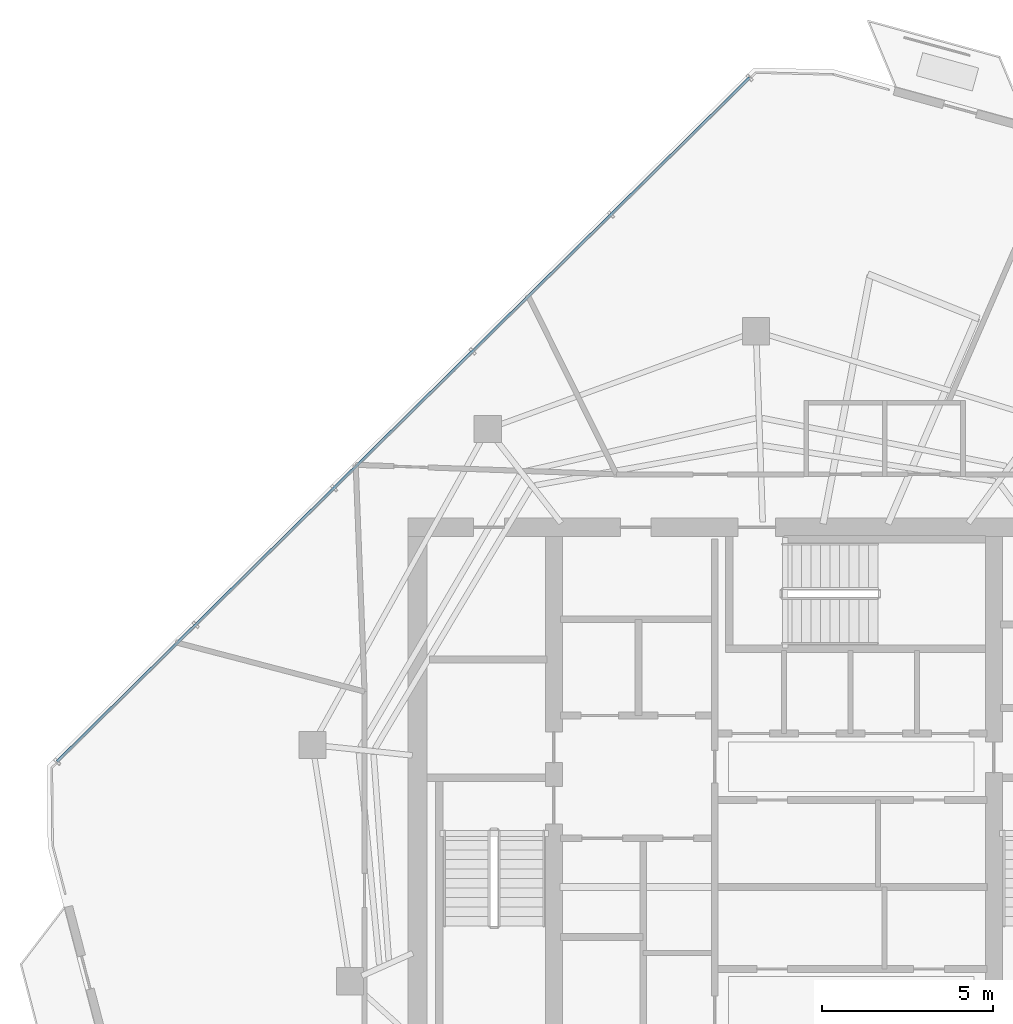
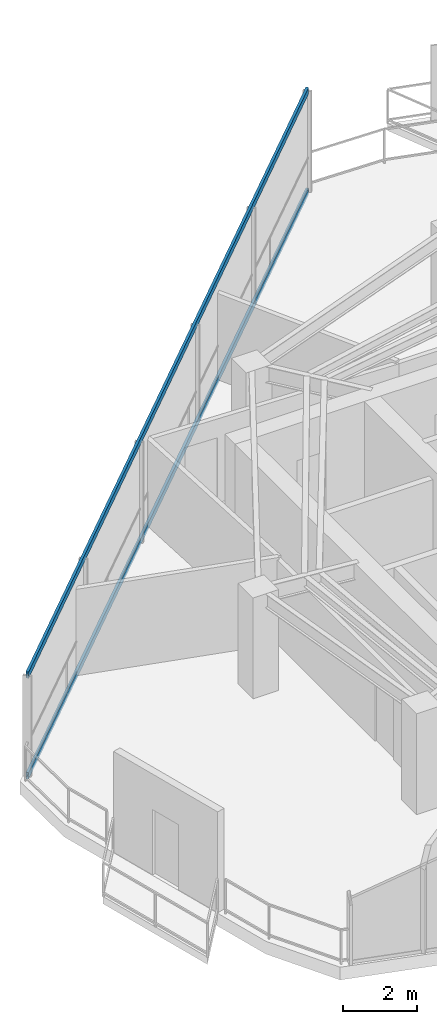
# One storey, part 8 of 19: 2 members, 1 element without a shape of its own.
"""IFC4 building model written with IfcOpenShell, lengths in metres."""

from ifc_helpers import new_model, si_unit, direction, frame, origin, origin_2d, place, context, subcontext, project, spatial, hollow_rectangle, extrude, material, layer, layer_set, material_profile, profile_set, type_object, element, aggregate, save


model = new_model("IFC4")

# Units and contexts
model_context = context("Model", 3, precision=1e-05, world=origin(), true_north=direction((0.0, 1.0)))
body_context = subcontext(model_context, "Body", "Model", "MODEL_VIEW")
ifc_project = project(units=[si_unit("LENGTHUNIT", "METRE"), si_unit("AREAUNIT", "SQUARE_METRE"), si_unit("VOLUMEUNIT", "CUBIC_METRE"), si_unit("PLANEANGLEUNIT", "RADIAN"), si_unit("MASSUNIT", "GRAM", prefix="KILO")], contexts=[model_context])

# Site, building, storey
site_placement = place(None, origin())
site = spatial("IfcSite", under=ifc_project, at=site_placement, CompositionType="ELEMENT")
building_placement = place(site_placement, origin())
building = spatial("IfcBuilding", under=site, at=building_placement, Name="Qarnah Convention Tower", CompositionType="ELEMENT")
storey_placement = place(building_placement, frame((0.0, 0.0, 235.5)))
storey = spatial("IfcBuildingStorey", under=building, at=storey_placement, Name="L63", CompositionType="ELEMENT", Elevation=235.5)

# Curtain wall, members
ifc_material_1 = material(Name="Tempered Low-E dark glass", Category="glass")
ifc_layer = layer(ifc_material_1, 0.176025390625)
ifc_layer_set = layer_set([ifc_layer], Name="Tempered Low-E dark glass")
curtain_wall_type = type_object("IfcCurtainWallType", Name="CWS-05", PredefinedType="NOTDEFINED", material=ifc_layer_set)
curtain_wall_placement = place(storey_placement, origin())
curtain_wall = element("IfcCurtainWall", 1, at=curtain_wall_placement, inside=storey, type_object=curtain_wall_type, Name="L63 unitised curtain wall CW-L63-F2", PredefinedType="NOTDEFINED")
ifc_material_2 = material(Name="Black anodised aluminium", Category="aluminium")
ifc_material_profile = material_profile(ifc_material_2, hollow_rectangle(XDim=0.080078125, YDim=0.2099609375, WallThickness=0.0048828125, at=origin_2d()), Name="TRN-80X210")
ifc_profile_set = profile_set([ifc_material_profile], Name="Black anodised aluminium")
member_type = type_object("IfcMemberType", Name="TRN-T5", PredefinedType="USERDEFINED", material=ifc_profile_set)
member_1_placement = place(storey_placement, frame((16.236083984375, 27.325927734375, 0.0), z_axis=(0.711542220568, 0.702643343631, 0.0), x_axis=(-0.702643343631, 0.711542220568, 0.0)))
member_1 = element("IfcMember", 2, at=member_1_placement, type_object=member_type, Name="CW-L63-F2 transom 1", ObjectType="TRANSOM", PredefinedType="USERDEFINED", context=body_context, shape_type="SweptSolid", body=[
    extrude(hollow_rectangle(XDim=0.080078125, YDim=0.2099609375, WallThickness=0.0048828125, at=origin_2d()), origin(), (0.0, 0.0, 1.0), 28.532470703125),
])
member_2_placement = place(storey_placement, frame((16.236083984375, 27.325927734375, 3.320068359375), z_axis=(0.711542220568, 0.702643343631, 0.0), x_axis=(-0.702643343631, 0.711542220568, 0.0)))
member_2 = element("IfcMember", 3, at=member_2_placement, type_object=member_type, Name="CW-L63-F2 transom 2", ObjectType="TRANSOM", PredefinedType="USERDEFINED", context=body_context, shape_type="SweptSolid", body=[
    extrude(hollow_rectangle(XDim=0.080078125, YDim=0.2099609375, WallThickness=0.0048828125, at=origin_2d()), origin(), (0.0, 0.0, 1.0), 28.532470703125),
])
aggregate(curtain_wall, [member_1, member_2])

save(model, "model.ifc")
